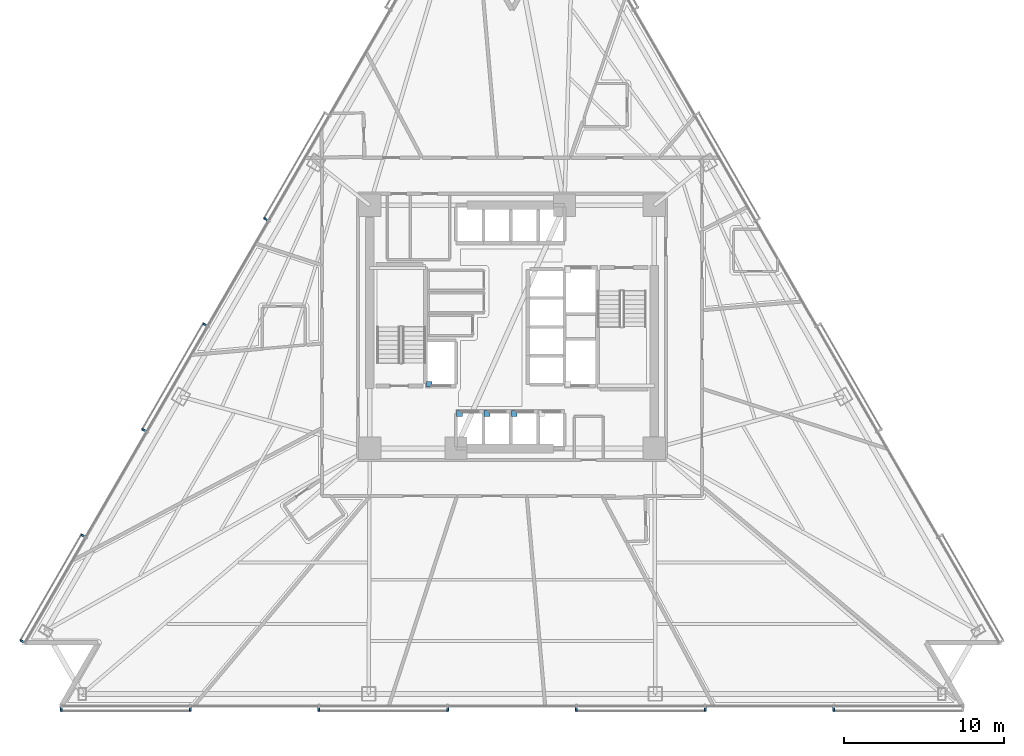
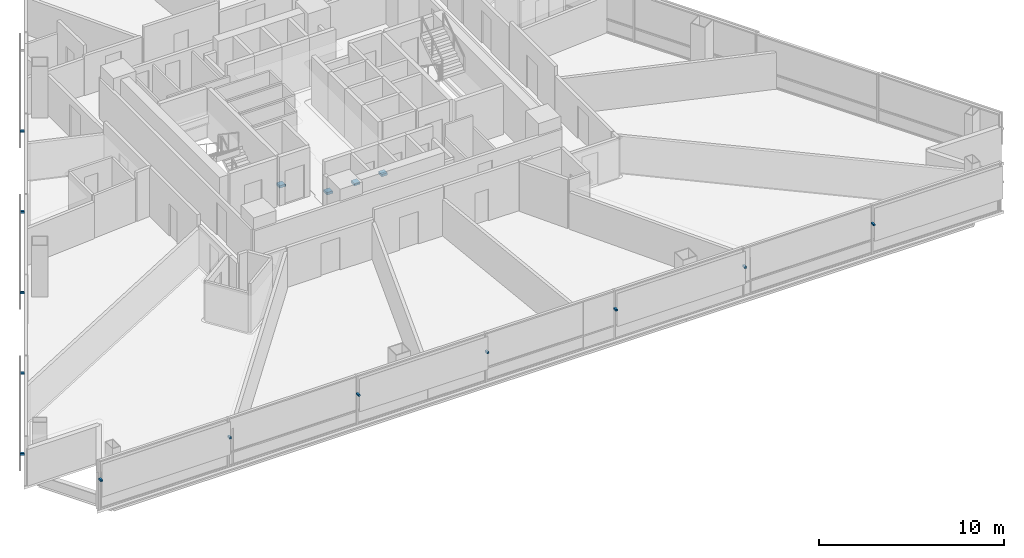
# One storey, part 11 of 18: 16 discrete accessories.
"""IFC4 building model written with IfcOpenShell, lengths in metres."""

from ifc_helpers import new_model, si_unit, direction, frame, origin, origin_2d, place, context, subcontext, project, spatial, rectangle, extrude, material, type_object, element, save


model = new_model("IFC4")

# Units and contexts
model_context = context("Model", 3, precision=1e-05, world=origin(), true_north=direction((0.0, 1.0)))
body_context = subcontext(model_context, "Body", "Model", "MODEL_VIEW")
ifc_project = project(units=[si_unit("LENGTHUNIT", "METRE"), si_unit("AREAUNIT", "SQUARE_METRE"), si_unit("VOLUMEUNIT", "CUBIC_METRE"), si_unit("PLANEANGLEUNIT", "RADIAN"), si_unit("MASSUNIT", "GRAM", prefix="KILO")], contexts=[model_context])

# Site, building, storey
site_placement = place(None, origin())
site = spatial("IfcSite", under=ifc_project, at=site_placement, CompositionType="ELEMENT")
building_placement = place(site_placement, origin())
building = spatial("IfcBuilding", under=site, at=building_placement, Name="Tharavind Bronze Gate", CompositionType="ELEMENT")
storey_placement = place(building_placement, frame((0.0, 0.0, 38.64990234375)))
storey = spatial("IfcBuildingStorey", under=building, at=storey_placement, Name="L08", CompositionType="ELEMENT", Elevation=38.64990234375)

# Discrete accessories
ifc_material_1 = material(Name="Galvanised Steel S355", Category="steel")
discrete_accessory_type_1 = type_object("IfcDiscreteAccessoryType", Name="LIFT GUIDE RAIL BRACKET", PredefinedType="BRACKET", material=ifc_material_1)
for number, where, z_axis, x_axis, name in (
    (1, (-3.280029296875, -5.419921875, 1.1201171875), (0.0, 0.0, 1.0), (1.0, 0.0, 0.0), "Lift PL1 guide rail bracket at L08"),
    (2, (-1.5673828125, -5.419921875, 1.1201171875), (0.0, 0.0, 1.0), (1.0, 0.0, 0.0), "Lift PL2 guide rail bracket at L08"),
    (3, (0.14501953125, -5.419921875, 1.1201171875), (0.0, 0.0, 1.0), (1.0, 0.0, 0.0), "Lift PL3 guide rail bracket at L08"),
    (4, (-5.179931640625, -3.580078125, 1.1201171875), (0.0, 0.0, 1.0), (1.0, 0.0, 0.0), "Lift FFL1 guide rail bracket at L08"),
):
    element("IfcDiscreteAccessory", number, at=place(storey_placement, frame(where, z_axis=z_axis, x_axis=x_axis)), inside=storey, type_object=discrete_accessory_type_1, Name=name, PredefinedType="BRACKET", context=body_context, shape_type="SweptSolid", body=[
        extrude(rectangle(XDim=0.360107421875, YDim=0.360107421875, at=origin_2d()), origin(), (0.0, 0.0, 1.0), 0.159912109375),
    ])
ifc_material_2 = material(Name="Stainless Steel 316", Category="steel")
discrete_accessory_type_2 = type_object("IfcDiscreteAccessoryType", Name="SOLAR SCREEN STANDOFF BRACKET", PredefinedType="BRACKET", material=ifc_material_2)
for number, where, z_axis, x_axis, name in (
    (5, (-15.397216796875, 6.7314453125, 2.00244140625), (0.0, 0.0, 1.0), (-0.500001511499, -0.866024531118, 0.0), "CW-L08-S1 solar screen bracket 3.2"),
    (6, (-19.205078125, 0.135986328125, 2.00244140625), (0.0, 0.0, 1.0), (-0.500001511499, -0.866024531118, 0.0), "CW-L08-S1 solar screen bracket 5.1"),
    (7, (-23.01318359375, -6.459716796875, 2.00244140625), (0.0, 0.0, 1.0), (-0.500001511499, -0.866024531118, 0.0), "CW-L08-S1 solar screen bracket 5.2"),
    (8, (-26.821044921875, -13.055419921875, 2.00244140625), (0.0, 0.0, 1.0), (-0.500001511499, -0.866024531118, 0.0), "CW-L08-S1 solar screen bracket 7.1"),
    (9, (-30.62890625, -19.65087890625, 2.00244140625), (0.0, 0.0, 1.0), (-0.500001511499, -0.866024531118, 0.0), "CW-L08-S1 solar screen bracket 7.2"),
    (10, (-28.17578125, -23.89990234375, 2.00244140625), (0.0, 0.0, 1.0), (1.0, 0.0, 0.0), "CW-L08-S2 solar screen bracket 1.1"),
    (11, (-20.12548828125, -23.89990234375, 2.00244140625), (0.0, 0.0, 1.0), (1.0, 0.0, 0.0), "CW-L08-S2 solar screen bracket 1.2"),
    (12, (-12.0751953125, -23.89990234375, 2.00244140625), (0.0, 0.0, 1.0), (1.0, 0.0, 0.0), "CW-L08-S2 solar screen bracket 3.1"),
    (13, (-4.025146484375, -23.89990234375, 2.00244140625), (0.0, 0.0, 1.0), (1.0, 0.0, 0.0), "CW-L08-S2 solar screen bracket 3.2"),
    (14, (4.025146484375, -23.89990234375, 2.00244140625), (0.0, 0.0, 1.0), (1.0, 0.0, 0.0), "CW-L08-S2 solar screen bracket 5.1"),
    (15, (12.0751953125, -23.89990234375, 2.00244140625), (0.0, 0.0, 1.0), (1.0, 0.0, 0.0), "CW-L08-S2 solar screen bracket 5.2"),
    (16, (20.12548828125, -23.89990234375, 2.00244140625), (0.0, 0.0, 1.0), (1.0, 0.0, 0.0), "CW-L08-S2 solar screen bracket 7.1"),
):
    element("IfcDiscreteAccessory", number, at=place(storey_placement, frame(where, z_axis=z_axis, x_axis=x_axis)), inside=storey, type_object=discrete_accessory_type_2, Name=name, PredefinedType="BRACKET", context=body_context, shape_type="SweptSolid", body=[
        extrude(rectangle(XDim=0.1201171875, YDim=0.239990234375, at=origin_2d()), origin(), (0.0, 0.0, 1.0), 0.1201171875),
    ])

save(model, "model.ifc")
